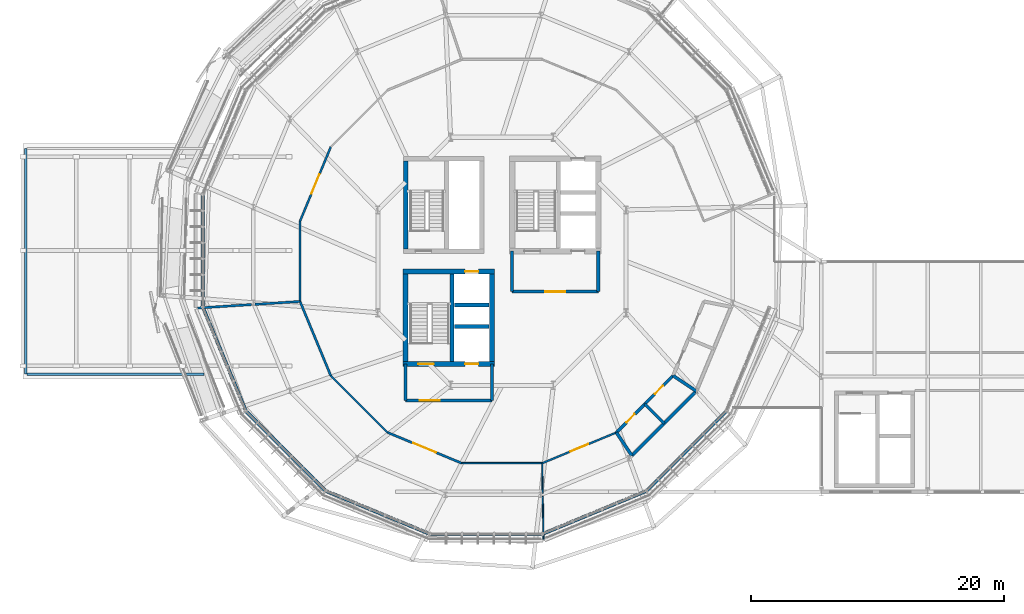
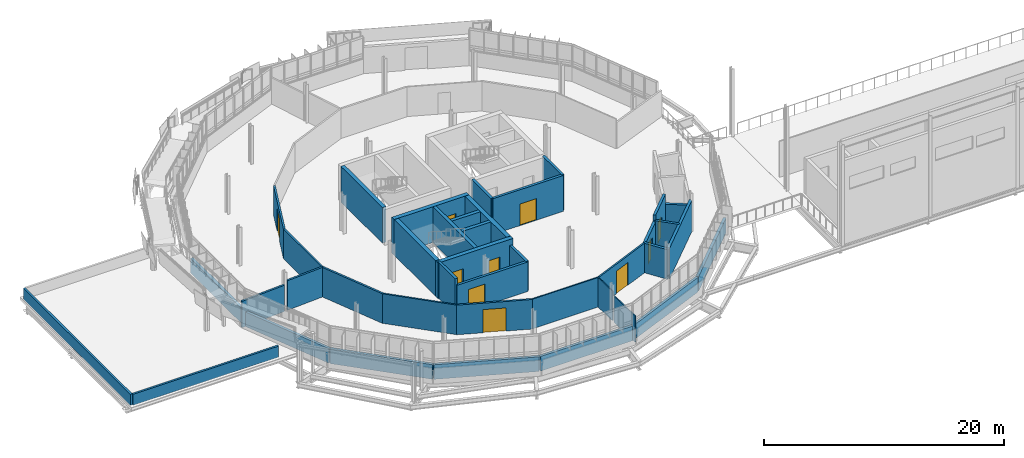
# One storey, part 48 of 61: 40 walls, 10 doors, 10 openings.
"""IFC4 building model written with IfcOpenShell, lengths in metres."""

from ifc_helpers import new_model, si_unit, derived_unit, direction, frame, frame_2d, origin, place, context, subcontext, project, spatial, rectangle, extrude, material, layer, layer_set, type_object, element, fill, save


model = new_model("IFC4")

# Units and contexts
model_context = context("Model", 3, precision=1e-05, world=origin(), true_north=direction((0.0, 1.0)))
body_context = subcontext(model_context, "Body", "Model", "MODEL_VIEW")
ifc_project = project(units=[si_unit("LENGTHUNIT", "METRE"), si_unit("AREAUNIT", "SQUARE_METRE"), si_unit("VOLUMEUNIT", "CUBIC_METRE"), si_unit("PLANEANGLEUNIT", "RADIAN"), si_unit("MASSUNIT", "GRAM", prefix="KILO"), derived_unit("THERMALTRANSMITTANCEUNIT", [(si_unit("MASSUNIT", "GRAM", prefix="KILO"), 1), (si_unit("TIMEUNIT", "SECOND"), -3), (si_unit("THERMODYNAMICTEMPERATUREUNIT", "KELVIN"), -1)])], contexts=[model_context])

# Site, building, storey
site_placement = place(None, origin())
site = spatial("IfcSite", under=ifc_project, at=site_placement, CompositionType="ELEMENT")
building_placement = place(site_placement, origin())
building = spatial("IfcBuilding", under=site, at=building_placement, Name="Makaiwela Harbour Ferry Terminal", CompositionType="ELEMENT")
storey_placement = place(building_placement, frame((0.0, 0.0, 13.800048828125)))
storey = spatial("IfcBuildingStorey", under=building, at=storey_placement, Name="L03", CompositionType="ELEMENT", Elevation=13.800048828125)

# Walls
ifc_material_1 = material(Name="Precast concrete f'c 40 MPa (6000 psi)", Category="concrete")
ifc_layer_1 = layer(ifc_material_1, 0.260009765625)
ifc_layer_set_1 = layer_set([ifc_layer_1], Name="Precast concrete f'c 40 MPa (6000 psi)")
wall_type_1 = type_object("IfcWallType", Name="ENV-WL-EXT260", PredefinedType="SOLIDWALL", material=ifc_layer_set_1)
wall_1_placement = place(storey_placement, frame((14.18798828125, 72.858154296875, 0.0), z_axis=(0.0, 0.0, 1.0), x_axis=(0.0, -1.0, 0.0)))
element("IfcWall", 1, at=wall_1_placement, inside=storey, type_object=wall_type_1, Name="Drum Spandrel Backup Wall EW-L03-07", PredefinedType="SOLIDWALL", context=body_context, shape_type="SweptSolid", body=[
    extrude(rectangle(XDim=8.836181640625, YDim=0.260009765625, at=frame_2d((4.41796875, 0.0))), origin(), (0.0, 0.0, 1.0), 1.47998046875),
])
wall_2_placement = place(storey_placement, frame((14.19970703125, 63.964111328125, 0.0), z_axis=(0.0, 0.0, 1.0), x_axis=(0.382682043614, -0.923880107749, 0.0)))
element("IfcWall", 2, at=wall_2_placement, inside=storey, type_object=wall_type_1, Name="Drum Spandrel Backup Wall EW-L03-08", PredefinedType="SOLIDWALL", context=body_context, shape_type="SweptSolid", body=[
    extrude(rectangle(XDim=8.8359375, YDim=0.260009765625, at=frame_2d((4.41796875, 0.0))), origin(), (0.0, 0.0, 1.0), 1.47998046875),
])
for number, where, z_axis, x_axis, name in (
    (3, (17.61376953125, 55.751708984375, 0.0), (0.0, 0.0, 1.0), (0.707106781187, -0.707106781187, 0.0), "Drum Spandrel Backup Wall EW-L03-09"),
    (4, (23.91064453125, 49.470947265625, 0.0), (0.0, 0.0, 1.0), (0.923884153954, -0.382672275024, 0.0), "Drum Spandrel Backup Wall EW-L03-10"),
    (5, (32.1318359375, 46.078125, 0.0), (0.0, 0.0, 1.0), (1.0, 0.0, 0.0), "Drum Spandrel Backup Wall EW-L03-11"),
):
    element("IfcWall", number, at=place(storey_placement, frame(where, z_axis=z_axis, x_axis=x_axis)), inside=storey, type_object=wall_type_1, Name=name, PredefinedType="SOLIDWALL", context=body_context, shape_type="SweptSolid", body=[
        extrude(rectangle(XDim=8.836181640625, YDim=0.260009765625, at=frame_2d((4.41796875, 0.0))), origin(), (0.0, 0.0, 1.0), 1.47998046875),
    ])
wall_3_placement = place(storey_placement, frame((41.02587890625, 46.089599609375, 0.0), z_axis=(0.0, 0.0, 1.0), x_axis=(0.923880107749, 0.382682043614, 0.0)))
element("IfcWall", 6, at=wall_3_placement, inside=storey, type_object=wall_type_1, Name="Drum Spandrel Backup Wall EW-L03-12", PredefinedType="SOLIDWALL", context=body_context, shape_type="SweptSolid", body=[
    extrude(rectangle(XDim=8.8359375, YDim=0.260009765625, at=frame_2d((4.41796875, 0.0))), origin(), (0.0, 0.0, 1.0), 1.47998046875),
])
wall_4_placement = place(storey_placement, frame((49.23828125, 49.503662109375, 0.0), z_axis=(0.0, 0.0, 1.0), x_axis=(0.707106781187, 0.707106781187, 0.0)))
element("IfcWall", 7, at=wall_4_placement, inside=storey, type_object=wall_type_1, Name="Drum Spandrel Backup Wall EW-L03-13", PredefinedType="SOLIDWALL", context=body_context, shape_type="SweptSolid", body=[
    extrude(rectangle(XDim=8.836181640625, YDim=0.260009765625, at=frame_2d((4.41796875, 0.0))), origin(), (0.0, 0.0, 1.0), 1.47998046875),
])
ifc_layer_2 = layer(ifc_material_1, 0.18994140625)
ifc_layer_set_2 = layer_set([ifc_layer_2], Name="Precast concrete f'c 40 MPa (6000 psi)")
wall_type_2 = type_object("IfcWallType", Name="ENV-WL-PAR190", PredefinedType="PARAPET", material=ifc_layer_set_2)
wall_5_placement = place(storey_placement, frame((14.294921875, 58.699951171875, 0.0), z_axis=(0.0, 0.0, 1.0), x_axis=(-1.0, 0.0, 0.0)))
element("IfcWall", 8, at=wall_5_placement, inside=storey, type_object=wall_type_2, Name="Roof Parapet Wall PW-019", PredefinedType="PARAPET", context=body_context, shape_type="SweptSolid", body=[
    extrude(rectangle(XDim=13.989990234375, YDim=0.18994140625, at=frame_2d((6.9951171875, 0.0))), origin(), (0.0, 0.0, 1.0), 1.119873046875),
])
wall_6_placement = place(storey_placement, frame((0.199951171875, 58.699951171875, 0.0), z_axis=(0.0, 0.0, 1.0), x_axis=(0.0, 1.0, 0.0)))
element("IfcWall", 9, at=wall_6_placement, inside=storey, type_object=wall_type_2, Name="Roof Parapet Wall PW-020", PredefinedType="PARAPET", context=body_context, shape_type="SweptSolid", body=[
    extrude(rectangle(XDim=17.800048828125, YDim=0.18994140625, at=frame_2d((8.89990234375, 0.0))), origin(), (0.0, 0.0, 1.0), 1.119873046875),
])

# Wall, opening, door
ifc_material_2 = material(Name="Fire-rated gypsum board on steel studs", Category="steel")
ifc_layer_3 = layer(ifc_material_2, 0.1650390625)
ifc_layer_set_3 = layer_set([ifc_layer_3], Name="Fire-rated gypsum board on steel studs")
wall_type_3 = type_object("IfcWallType", Name="INT-WL-FIR165", PredefinedType="PARTITIONING", material=ifc_layer_set_3)
wall_7_placement = place(storey_placement, frame((24.28857421875, 76.6279296875, 0.0), z_axis=(0.0, 0.0, 1.0), x_axis=(-0.382676004295, -0.923882609284, 0.0)))
wall_7 = element("IfcWall", 10, at=wall_7_placement, inside=storey, type_object=wall_type_3, Name="Interior Wall IW-0333", PredefinedType="PARTITIONING", context=body_context, shape_type="SweptSolid", body=[
    extrude(rectangle(XDim=6.34033203125, YDim=0.1650390625, at=frame_2d((3.170166015625, 0.0))), origin(), (0.0, 0.0, 1.0), 3.00390625),
])
opening_1_placement = place(wall_7_placement, frame((2.34521484375, 0.0, 0.0)))
opening_1 = element("IfcOpeningElement", 11, at=opening_1_placement, cuts=wall_7, Name="Opening D-17", PredefinedType="OPENING", context=body_context, shape_type="SweptSolid", body=[
    extrude(rectangle(XDim=1.64990234375, YDim=2.300048828125, at=frame_2d((0.824951171875, 1.14990234375))), frame((0.0, 0.092529296875, 0.0), z_axis=(0.0, -1.0, 0.0), x_axis=(1.0, 0.0, 0.0)), (0.0, 0.0, 1.0), 0.18505859375),
])
ifc_material_3 = material(Name="Solid-core marine hardwood and painted steel frame", Category="steel")
door_type_1 = type_object("IfcDoorType", Name="INT-DR-DIN165", OperationType="NOTDEFINED", PredefinedType="DOOR", material=ifc_material_3)
door_1_placement = place(opening_1_placement, frame((1.64990234375, 0.0, 0.0), z_axis=(0.0, 0.0, 1.0), x_axis=(-1.0, 0.0, 0.0)))
door_1 = element("IfcDoor", 12, at=door_1_placement, inside=storey, type_object=door_type_1, Name="Door D-17", OperationType="DOUBLE_DOOR_SINGLE_SWING", OverallHeight=2.300048828125, OverallWidth=1.64990234375, PredefinedType="DOOR", context=body_context, shape_type="SweptSolid", body=[
    extrude(rectangle(XDim=1.64990234375, YDim=2.300048828125, at=frame_2d((0.824951171875, 1.14990234375))), frame((0.0, 0.02490234375, 0.0), z_axis=(0.0, -1.0, 0.0), x_axis=(1.0, 0.0, 0.0)), (0.0, 0.0, 1.0), 0.050048828125),
])
fill(opening_1, door_1)

# Walls
wall_8_placement = place(storey_placement, frame((21.8623046875, 70.770263671875, 0.0), z_axis=(0.0, 0.0, 1.0), x_axis=(0.0, -1.0, 0.0)))
element("IfcWall", 13, at=wall_8_placement, inside=storey, type_object=wall_type_3, Name="Interior Wall IW-0334", PredefinedType="PARTITIONING", context=body_context, shape_type="SweptSolid", body=[
    extrude(rectangle(XDim=6.340576171875, YDim=0.1650390625, at=frame_2d((3.17041015625, 0.0))), origin(), (0.0, 0.0, 1.0), 3.00390625),
])
ifc_layer_4 = layer(ifc_material_2, 0.179931640625)
ifc_layer_set_4 = layer_set([ifc_layer_4], Name="Fire-rated gypsum board on steel studs")
wall_type_4 = type_object("IfcWallType", Name="INT-WL-FIR180", PredefinedType="PARTITIONING", material=ifc_layer_set_4)
wall_9_placement = place(storey_placement, frame((21.8623046875, 64.4296875, 0.0), z_axis=(0.0, 0.0, 1.0), x_axis=(0.382676004295, -0.923882609284, 0.0)))
element("IfcWall", 14, at=wall_9_placement, inside=storey, type_object=wall_type_4, Name="Interior Wall IW-0335", PredefinedType="PARTITIONING", context=body_context, shape_type="SweptSolid", body=[
    extrude(rectangle(XDim=6.34033203125, YDim=0.179931640625, at=frame_2d((3.170166015625, 0.0))), origin(), (0.0, 0.0, 1.0), 3.00390625),
])

# Wall, opening, door
wall_10_placement = place(storey_placement, frame((28.77197265625, 54.088623046875, 0.0), z_axis=(0.0, 0.0, 1.0), x_axis=(0.92387463456, -0.382695256851, 0.0)))
wall_10 = element("IfcWall", 15, at=wall_10_placement, inside=storey, type_object=wall_type_4, Name="Interior Wall IW-0337", PredefinedType="PARTITIONING", context=body_context, shape_type="SweptSolid", body=[
    extrude(rectangle(XDim=6.340576171875, YDim=0.179931640625, at=frame_2d((3.17041015625, 0.0))), origin(), (0.0, 0.0, 1.0), 3.00390625),
])
opening_2_placement = place(wall_10_placement, frame((2.1953125, 0.0, 0.0)))
opening_2 = element("IfcOpeningElement", 16, at=opening_2_placement, cuts=wall_10, Name="Opening D-19", PredefinedType="OPENING", context=body_context, shape_type="SweptSolid", body=[
    extrude(rectangle(XDim=1.949951171875, YDim=2.35009765625, at=frame_2d((0.97509765625, 1.175048828125))), frame((0.0, 0.099853515625, 0.0), z_axis=(0.0, -1.0, 0.0), x_axis=(1.0, 0.0, 0.0)), (0.0, 0.0, 1.0), 0.199951171875),
])
door_type_2 = type_object("IfcDoorType", Name="INT-DR-RET195", OperationType="NOTDEFINED", PredefinedType="DOOR", material=ifc_material_3)
door_2_placement = place(opening_2_placement, frame((1.949951171875, 0.0, 0.0), z_axis=(0.0, 0.0, 1.0), x_axis=(-1.0, 0.0, 0.0)))
door_2 = element("IfcDoor", 17, at=door_2_placement, inside=storey, type_object=door_type_2, Name="Door D-19", OperationType="DOUBLE_DOOR_SINGLE_SWING", OverallHeight=2.35009765625, OverallWidth=1.949951171875, PredefinedType="DOOR", context=body_context, shape_type="SweptSolid", body=[
    extrude(rectangle(XDim=1.949951171875, YDim=2.35009765625, at=frame_2d((0.97509765625, 1.175048828125))), frame((0.0, 0.02490234375, 0.0), z_axis=(0.0, -1.0, 0.0), x_axis=(1.0, 0.0, 0.0)), (0.0, 0.0, 1.0), 0.050048828125),
])
fill(opening_2, door_2)

# Walls
wall_11_placement = place(storey_placement, frame((21.8623046875, 64.4296875, 0.0), z_axis=(0.0, 0.0, 1.0), x_axis=(-0.997952022383, -0.06396687441, 0.0)))
element("IfcWall", 18, at=wall_11_placement, inside=storey, type_object=wall_type_4, Name="Interior Wall IW-0354", PredefinedType="PARTITIONING", context=body_context, shape_type="SweptSolid", body=[
    extrude(rectangle(XDim=3.549560546875, YDim=0.179931640625, at=frame_2d((1.77490234375, 0.0))), origin(), (0.0, 0.0, 1.0), 3.00390625),
])
wall_12_placement = place(storey_placement, frame((18.039794921875, 64.184814453125, 0.0), z_axis=(0.0, 0.0, 1.0), x_axis=(-0.997951459643, -0.063975653146, 0.0)))
element("IfcWall", 19, at=wall_12_placement, inside=storey, type_object=wall_type_4, Name="Interior Wall IW-0355", PredefinedType="PARTITIONING", context=body_context, shape_type="SweptSolid", body=[
    extrude(rectangle(XDim=4.2626953125, YDim=0.179931640625, at=frame_2d((2.13134765625, 0.0))), origin(), (0.0, 0.0, 1.0), 2.669921875),
])

# Wall, opening, door
ifc_layer_5 = layer(ifc_material_2, 0.239990234375)
ifc_layer_set_5 = layer_set([ifc_layer_5], Name="Fire-rated gypsum board on steel studs")
wall_type_5 = type_object("IfcWallType", Name="INT-WL-FIR240", PredefinedType="SOLIDWALL", material=ifc_layer_set_5)
wall_13_placement = place(storey_placement, frame((38.60009765625, 65.199951171875, 0.0), z_axis=(0.0, 0.0, 1.0), x_axis=(1.0, 0.0, 0.0)))
wall_13 = element("IfcWall", 20, at=wall_13_placement, inside=storey, type_object=wall_type_5, Name="Interior Wall IW-0031", PredefinedType="SOLIDWALL", context=body_context, shape_type="SweptSolid", body=[
    extrude(rectangle(XDim=6.7998046875, YDim=0.239990234375, at=frame_2d((3.39990234375, 0.0))), origin(), (0.0, 0.0, 1.0), 3.639892578125),
])
opening_3_placement = place(wall_13_placement, frame((2.60009765625, 0.0, 0.0)))
opening_3 = element("IfcOpeningElement", 21, at=opening_3_placement, cuts=wall_13, Name="Opening D-03", PredefinedType="OPENING", context=body_context, shape_type="SweptSolid", body=[
    extrude(rectangle(XDim=1.60009765625, YDim=2.199951171875, at=frame_2d((0.800048828125, 1.10009765625))), frame((0.0, 0.1298828125, 0.0), z_axis=(0.0, -1.0, 0.0), x_axis=(1.0, 0.0, 0.0)), (0.0, 0.0, 1.0), 0.260009765625),
])
ifc_material_4 = material(Name="Insulated galvanised fire-rated steel leaf and frame", Category="steel")
door_type_3 = type_object("IfcDoorType", Name="INT-DR-FFL160", OperationType="NOTDEFINED", PredefinedType="DOOR", material=ifc_material_4)
door_3_placement = place(opening_3_placement, frame((1.60009765625, 0.0, 0.0), z_axis=(0.0, 0.0, 1.0), x_axis=(-1.0, 0.0, 0.0)))
door_3 = element("IfcDoor", 22, at=door_3_placement, inside=storey, type_object=door_type_3, Name="Door D-03", OperationType="DOUBLE_DOOR_SINGLE_SWING", OverallHeight=2.199951171875, OverallWidth=1.60009765625, PredefinedType="DOOR", context=body_context, shape_type="SweptSolid", body=[
    extrude(rectangle(XDim=1.60009765625, YDim=2.199951171875, at=frame_2d((0.800048828125, 1.10009765625))), frame((0.0, 0.02490234375, 0.0), z_axis=(0.0, -1.0, 0.0), x_axis=(1.0, 0.0, 0.0)), (0.0, 0.0, 1.0), 0.050048828125),
])
fill(opening_3, door_3)

# Walls
for number, where, z_axis, x_axis, name in (
    (23, (38.60009765625, 68.39990234375, 0.0), (0.0, 0.0, 1.0), (0.0, -1.0, 0.0), "Interior Wall IW-0032"),
    (24, (45.39990234375, 65.199951171875, 0.0), (0.0, 0.0, 1.0), (0.0, 1.0, 0.0), "Interior Wall IW-0033"),
):
    element("IfcWall", number, at=place(storey_placement, frame(where, z_axis=z_axis, x_axis=x_axis)), inside=storey, type_object=wall_type_5, Name=name, PredefinedType="SOLIDWALL", context=body_context, shape_type="SweptSolid", body=[
        extrude(rectangle(XDim=3.199951171875, YDim=0.239990234375, at=frame_2d((1.60009765625, 0.0))), origin(), (0.0, 0.0, 1.0), 3.639892578125),
    ])

# Wall, opening, door
wall_14_placement = place(storey_placement, frame((30.199951171875, 56.60009765625, 0.0), z_axis=(0.0, 0.0, 1.0), x_axis=(1.0, 0.0, 0.0)))
wall_14 = element("IfcWall", 25, at=wall_14_placement, inside=storey, type_object=wall_type_5, Name="Interior Wall IW-0095", PredefinedType="SOLIDWALL", context=body_context, shape_type="SweptSolid", body=[
    extrude(rectangle(XDim=6.800048828125, YDim=0.239990234375, at=frame_2d((3.39990234375, 0.0))), origin(), (0.0, 0.0, 1.0), 3.00390625),
])
opening_4_placement = place(wall_14_placement, frame((1.10400390625, 0.0, 0.0)))
opening_4 = element("IfcOpeningElement", 26, at=opening_4_placement, cuts=wall_14, Name="Opening D-03", PredefinedType="OPENING", context=body_context, shape_type="SweptSolid", body=[
    extrude(rectangle(XDim=1.60009765625, YDim=2.199951171875, at=frame_2d((0.800048828125, 1.10009765625))), frame((0.0, 0.1298828125, 0.0), z_axis=(0.0, -1.0, 0.0), x_axis=(1.0, 0.0, 0.0)), (0.0, 0.0, 1.0), 0.260009765625),
])
door_4_placement = place(opening_4_placement, frame((1.60009765625, 0.0, 0.0), z_axis=(0.0, 0.0, 1.0), x_axis=(-1.0, 0.0, 0.0)))
door_4 = element("IfcDoor", 27, at=door_4_placement, inside=storey, type_object=door_type_3, Name="Door D-03", OperationType="DOUBLE_DOOR_SINGLE_SWING", OverallHeight=2.199951171875, OverallWidth=1.60009765625, PredefinedType="DOOR", context=body_context, shape_type="SweptSolid", body=[
    extrude(rectangle(XDim=1.60009765625, YDim=2.199951171875, at=frame_2d((0.800048828125, 1.10009765625))), frame((0.0, 0.02490234375, 0.0), z_axis=(0.0, -1.0, 0.0), x_axis=(1.0, 0.0, 0.0)), (0.0, 0.0, 1.0), 0.050048828125),
])
fill(opening_4, door_4)

# Walls
wall_15_placement = place(storey_placement, frame((30.199951171875, 59.5, 0.0), z_axis=(0.0, 0.0, 1.0), x_axis=(0.0, -1.0, 0.0)))
element("IfcWall", 28, at=wall_15_placement, inside=storey, type_object=wall_type_5, Name="Interior Wall IW-0096", PredefinedType="SOLIDWALL", context=body_context, shape_type="SweptSolid", body=[
    extrude(rectangle(XDim=2.89990234375, YDim=0.239990234375, at=frame_2d((1.449951171875, 0.0))), origin(), (0.0, 0.0, 1.0), 3.639892578125),
])
wall_16_placement = place(storey_placement, frame((37.0, 56.60009765625, 0.0), z_axis=(0.0, 0.0, 1.0), x_axis=(0.0, 1.0, 0.0)))
element("IfcWall", 29, at=wall_16_placement, inside=storey, type_object=wall_type_5, Name="Interior Wall IW-0097", PredefinedType="SOLIDWALL", context=body_context, shape_type="SweptSolid", body=[
    extrude(rectangle(XDim=2.89990234375, YDim=0.239990234375, at=frame_2d((1.449951171875, 0.0))), origin(), (0.0, 0.0, 1.0), 3.00390625),
])

# Wall, opening, door
ifc_material_5 = material(Name="Moisture-resistant acoustic gypsum partition", Category="gypsum")
ifc_layer_6 = layer(ifc_material_5, 0.22998046875)
ifc_layer_set_6 = layer_set([ifc_layer_6], Name="Moisture-resistant acoustic gypsum partition")
wall_type_6 = type_object("IfcWallType", Name="INT-WL-PLM230", PredefinedType="PLUMBINGWALL", material=ifc_layer_set_6)
wall_17_placement = place(storey_placement, frame((49.069580078125, 56.330322265625, 0.0), z_axis=(0.0, 0.0, 1.0), x_axis=(0.707106781187, 0.707106781187, 0.0)))
wall_17 = element("IfcWall", 30, at=wall_17_placement, inside=storey, type_object=wall_type_6, Name="Interior Wall IW-0341", PredefinedType="PLUMBINGWALL", context=body_context, shape_type="SweptSolid", body=[
    extrude(rectangle(XDim=3.170166015625, YDim=0.22998046875, at=frame_2d((1.5849609375, 0.0))), origin(), (0.0, 0.0, 1.0), 3.639892578125),
])
opening_5_placement = place(wall_17_placement, frame((1.125, 0.0, 0.0)))
opening_5 = element("IfcOpeningElement", 31, at=opening_5_placement, cuts=wall_17, Name="Opening D-11", PredefinedType="OPENING", context=body_context, shape_type="SweptSolid", body=[
    extrude(rectangle(XDim=0.919921875, YDim=2.10009765625, at=frame_2d((0.4599609375, 1.050048828125))), frame((0.0, 0.125, 0.0), z_axis=(0.0, -1.0, 0.0), x_axis=(1.0, 0.0, 0.0)), (0.0, 0.0, 1.0), 0.25),
])
door_type_4 = type_object("IfcDoorType", Name="INT-DR-WC092", OperationType="NOTDEFINED", PredefinedType="DOOR", material=ifc_material_3)
door_5_placement = place(opening_5_placement, frame((0.919921875, 0.0, 0.0), z_axis=(0.0, 0.0, 1.0), x_axis=(-1.0, 0.0, 0.0)))
door_5 = element("IfcDoor", 32, at=door_5_placement, inside=storey, type_object=door_type_4, Name="Door D-11", OperationType="SINGLE_SWING_RIGHT", OverallHeight=2.10009765625, OverallWidth=0.919921875, PredefinedType="DOOR", context=body_context, shape_type="SweptSolid", body=[
    extrude(rectangle(XDim=0.919921875, YDim=2.10009765625, at=frame_2d((0.4599609375, 1.050048828125))), frame((0.0, 0.02490234375, 0.0), z_axis=(0.0, -1.0, 0.0), x_axis=(1.0, 0.0, 0.0)), (0.0, 0.0, 1.0), 0.050048828125),
])
fill(opening_5, door_5)

# Wall
wall_18_placement = place(storey_placement, frame((49.069580078125, 56.330322265625, 0.0), z_axis=(0.0, 0.0, 1.0), x_axis=(0.707106781187, -0.707106781187, 0.0)))
element("IfcWall", 33, at=wall_18_placement, inside=storey, type_object=wall_type_6, Name="Interior Wall IW-0343", PredefinedType="PLUMBINGWALL", context=body_context, shape_type="SweptSolid", body=[
    extrude(rectangle(XDim=2.157958984375, YDim=0.22998046875, at=frame_2d((1.0791015625, 0.0))), origin(), (0.0, 0.0, 1.0), 3.14404296875),
])

# Wall, opening, door
ifc_layer_7 = layer(ifc_material_5, 0.25)
ifc_layer_set_7 = layer_set([ifc_layer_7], Name="Moisture-resistant acoustic gypsum partition")
wall_type_7 = type_object("IfcWallType", Name="INT-WL-PLM250", PredefinedType="PLUMBINGWALL", material=ifc_layer_set_7)
wall_19_placement = place(storey_placement, frame((46.827880859375, 54.088623046875, 0.0), z_axis=(0.0, 0.0, 1.0), x_axis=(0.707106781187, 0.707106781187, 0.0)))
wall_19 = element("IfcWall", 34, at=wall_19_placement, inside=storey, type_object=wall_type_7, Name="Interior Wall IW-0340", PredefinedType="PLUMBINGWALL", context=body_context, shape_type="SweptSolid", body=[
    extrude(rectangle(XDim=3.170166015625, YDim=0.25, at=frame_2d((1.5849609375, 0.0))), origin(), (0.0, 0.0, 1.0), 3.00390625),
])
opening_6_placement = place(wall_19_placement, frame((1.125, 0.0, 0.0)))
opening_6 = element("IfcOpeningElement", 35, at=opening_6_placement, cuts=wall_19, Name="Opening D-11", PredefinedType="OPENING", context=body_context, shape_type="SweptSolid", body=[
    extrude(rectangle(XDim=0.919921875, YDim=2.10009765625, at=frame_2d((0.4599609375, 1.050048828125))), frame((0.0, 0.135009765625, 0.0), z_axis=(0.0, -1.0, 0.0), x_axis=(1.0, 0.0, 0.0)), (0.0, 0.0, 1.0), 0.27001953125),
])
door_6_placement = place(opening_6_placement, frame((0.919921875, 0.0, 0.0), z_axis=(0.0, 0.0, 1.0), x_axis=(-1.0, 0.0, 0.0)))
door_6 = element("IfcDoor", 36, at=door_6_placement, inside=storey, type_object=door_type_4, Name="Door D-11", OperationType="SINGLE_SWING_LEFT", OverallHeight=2.10009765625, OverallWidth=0.919921875, PredefinedType="DOOR", context=body_context, shape_type="SweptSolid", body=[
    extrude(rectangle(XDim=0.919921875, YDim=2.10009765625, at=frame_2d((0.4599609375, 1.050048828125))), frame((0.0, 0.02490234375, 0.0), z_axis=(0.0, -1.0, 0.0), x_axis=(1.0, 0.0, 0.0)), (0.0, 0.0, 1.0), 0.050048828125),
])
fill(opening_6, door_6)

# Walls
wall_20_placement = place(storey_placement, frame((48.05029296875, 52.259521484375, 0.0), z_axis=(0.0, 0.0, 1.0), x_axis=(0.707123738387, 0.707089823579, 0.0)))
element("IfcWall", 37, at=wall_20_placement, inside=storey, type_object=wall_type_7, Name="Interior Wall IW-0342", PredefinedType="PLUMBINGWALL", context=body_context, shape_type="SweptSolid", body=[
    extrude(rectangle(XDim=7.19873046875, YDim=0.25, at=frame_2d((3.599365234375, 0.0))), origin(), (0.0, 0.0, 1.0), 3.14404296875),
])
wall_21_placement = place(storey_placement, frame((46.827880859375, 54.088623046875, 0.0), z_axis=(0.0, 0.0, 1.0), x_axis=(0.555647384729, -0.831418056, 0.0)))
element("IfcWall", 38, at=wall_21_placement, inside=storey, type_object=wall_type_7, Name="Interior Wall IW-0344", PredefinedType="PLUMBINGWALL", context=body_context, shape_type="SweptSolid", body=[
    extrude(rectangle(XDim=2.199951171875, YDim=0.25, at=frame_2d((1.10009765625, 0.0))), origin(), (0.0, 0.0, 1.0), 3.00390625),
])
wall_22_placement = place(storey_placement, frame((51.311279296875, 58.572021484375, 0.0), z_axis=(0.0, 0.0, 1.0), x_axis=(0.831452313852, -0.555596121107, 0.0)))
element("IfcWall", 39, at=wall_22_placement, inside=storey, type_object=wall_type_7, Name="Interior Wall IW-0349", PredefinedType="PLUMBINGWALL", context=body_context, shape_type="SweptSolid", body=[
    extrude(rectangle(XDim=2.2001953125, YDim=0.25, at=frame_2d((1.10009765625, 0.0))), origin(), (0.0, 0.0, 1.0), 2.669921875),
])
ifc_layer_8 = layer(ifc_material_5, 0.10009765625)
ifc_layer_set_8 = layer_set([ifc_layer_8], Name="Moisture-resistant acoustic gypsum partition")
wall_type_8 = type_object("IfcWallType", Name="INT-WL-PRT100", PredefinedType="PARTITIONING", material=ifc_layer_set_8)
wall_23_placement = place(storey_placement, frame((40.97021484375, 51.662109375, 0.0), z_axis=(0.0, 0.0, 1.0), x_axis=(0.018016959048, -0.99983768142, 0.0)))
element("IfcWall", 40, at=wall_23_placement, inside=storey, type_object=wall_type_8, Name="Interior Wall IW-0356", PredefinedType="PARTITIONING", context=body_context, shape_type="SweptSolid", body=[
    extrude(rectangle(XDim=2.35791015625, YDim=0.10009765625, at=frame_2d((1.178955078125, 0.0))), origin(), (0.0, 0.0, 1.0), 3.00390625),
])
wall_24_placement = place(storey_placement, frame((41.017333984375, 49.0419921875, 0.0), z_axis=(0.0, 0.0, 1.0), x_axis=(0.017985050226, -0.999838255904, 0.0)))
element("IfcWall", 41, at=wall_24_placement, inside=storey, type_object=wall_type_8, Name="Interior Wall IW-0357", PredefinedType="PARTITIONING", context=body_context, shape_type="SweptSolid", body=[
    extrude(rectangle(XDim=3.366455078125, YDim=0.10009765625, at=frame_2d((1.68310546875, 0.0))), origin(), (0.0, 0.0, 1.0), 2.669921875),
])
ifc_layer_9 = layer(ifc_material_5, 0.1201171875)
ifc_layer_set_9 = layer_set([ifc_layer_9], Name="Moisture-resistant acoustic gypsum partition")
wall_type_9 = type_object("IfcWallType", Name="INT-WL-PRT120", PredefinedType="PARTITIONING", material=ifc_layer_set_9)
wall_25_placement = place(storey_placement, frame((34.6298828125, 51.662109375, 0.0), z_axis=(0.0, 0.0, 1.0), x_axis=(1.0, 0.0, 0.0)))
element("IfcWall", 42, at=wall_25_placement, inside=storey, type_object=wall_type_9, Name="Interior Wall IW-0338", PredefinedType="PARTITIONING", context=body_context, shape_type="SweptSolid", body=[
    extrude(rectangle(XDim=6.34033203125, YDim=0.1201171875, at=frame_2d((3.170166015625, 0.0))), origin(), (0.0, 0.0, 1.0), 3.00390625),
])
ifc_layer_10 = layer(ifc_material_5, 0.14990234375)
ifc_layer_set_10 = layer_set([ifc_layer_10], Name="Moisture-resistant acoustic gypsum partition")
wall_type_10 = type_object("IfcWallType", Name="INT-WL-PRT150", PredefinedType="PARTITIONING", material=ifc_layer_set_10)
wall_26_placement = place(storey_placement, frame((24.28857421875, 58.572021484375, 0.0), z_axis=(0.0, 0.0, 1.0), x_axis=(0.707106781187, -0.707106781187, 0.0)))
element("IfcWall", 43, at=wall_26_placement, inside=storey, type_object=wall_type_10, Name="Interior Wall IW-0336", PredefinedType="PARTITIONING", context=body_context, shape_type="SweptSolid", body=[
    extrude(rectangle(XDim=6.340576171875, YDim=0.14990234375, at=frame_2d((3.17041015625, 0.0))), origin(), (0.0, 0.0, 1.0), 3.00390625),
])

# Wall, opening, door
wall_27_placement = place(storey_placement, frame((40.97021484375, 51.662109375, 0.0), z_axis=(0.0, 0.0, 1.0), x_axis=(0.923868995071, 0.382708871005, 0.0)))
wall_27 = element("IfcWall", 44, at=wall_27_placement, inside=storey, type_object=wall_type_10, Name="Interior Wall IW-0339", PredefinedType="PARTITIONING", context=body_context, shape_type="SweptSolid", body=[
    extrude(rectangle(XDim=6.34033203125, YDim=0.14990234375, at=frame_2d((3.170166015625, 0.0))), origin(), (0.0, 0.0, 1.0), 3.00390625),
])
opening_7_placement = place(wall_27_placement, frame((2.395263671875, 0.0, 0.0)))
opening_7 = element("IfcOpeningElement", 45, at=opening_7_placement, cuts=wall_27, Name="Opening D-21", PredefinedType="OPENING", context=body_context, shape_type="SweptSolid", body=[
    extrude(rectangle(XDim=1.550048828125, YDim=2.300048828125, at=frame_2d((0.77490234375, 1.14990234375))), frame((0.0, 0.0849609375, 0.0), z_axis=(0.0, -1.0, 0.0), x_axis=(1.0, 0.0, 0.0)), (0.0, 0.0, 1.0), 0.169921875),
])
door_type_5 = type_object("IfcDoorType", Name="INT-DR-VIP155", OperationType="NOTDEFINED", PredefinedType="DOOR", material=ifc_material_3)
door_7_placement = place(opening_7_placement, frame((1.550048828125, 0.0, 0.0), z_axis=(0.0, 0.0, 1.0), x_axis=(-1.0, 0.0, 0.0)))
door_7 = element("IfcDoor", 46, at=door_7_placement, inside=storey, type_object=door_type_5, Name="Door D-21", OperationType="DOUBLE_DOOR_SINGLE_SWING", OverallHeight=2.300048828125, OverallWidth=1.550048828125, PredefinedType="DOOR", context=body_context, shape_type="SweptSolid", body=[
    extrude(rectangle(XDim=1.550048828125, YDim=2.300048828125, at=frame_2d((0.77490234375, 1.14990234375))), frame((0.0, 0.02490234375, 0.0), z_axis=(0.0, -1.0, 0.0), x_axis=(1.0, 0.0, 0.0)), (0.0, 0.0, 1.0), 0.050048828125),
])
fill(opening_7, door_7)

# Walls
ifc_material_6 = material(Name="Concrete f'c 45 MPa (6500 psi)", Category="concrete")
ifc_layer_11 = layer(ifc_material_6, 0.320068359375)
ifc_layer_set_11 = layer_set([ifc_layer_11], Name="Concrete f'c 45 MPa (6500 psi)")
wall_type_11 = type_object("IfcWallType", Name="INT-WL-SHR320", PredefinedType="SHEAR", material=ifc_layer_set_11)
wall_28_placement = place(storey_placement, frame((33.8720703125, 59.7099609375, 0.0), z_axis=(0.0, 0.0, 1.0), x_axis=(0.0, 1.0, 0.0)))
element("IfcWall", 47, at=wall_28_placement, inside=storey, type_object=wall_type_11, Name="Interior Wall IW-0102", PredefinedType="SHEAR", context=body_context, shape_type="SweptSolid", body=[
    extrude(rectangle(XDim=6.880126953125, YDim=0.320068359375, at=frame_2d((3.43994140625, 0.0))), origin(), (0.0, 0.0, 1.0), 3.619873046875),
])
for number, where, z_axis, x_axis, name in (
    (48, (34.037109375, 62.43994140625, 0.0), (0.0, 0.0, 1.0), (1.0, 0.0, 0.0), "Interior Wall IW-0103"),
    (49, (34.037109375, 64.159912109375, 0.0), (0.0, 0.0, 1.0), (1.0, 0.0, 0.0), "Interior Wall IW-0104"),
):
    element("IfcWall", number, at=place(storey_placement, frame(where, z_axis=z_axis, x_axis=x_axis)), inside=storey, type_object=wall_type_11, Name=name, PredefinedType="SHEAR", context=body_context, shape_type="SweptSolid", body=[
        extrude(rectangle(XDim=2.7578125, YDim=0.320068359375, at=frame_2d((1.37890625, 0.0))), origin(), (0.0, 0.0, 1.0), 3.619873046875),
    ])
ifc_layer_12 = layer(ifc_material_6, 0.360107421875)
ifc_layer_set_12 = layer_set([ifc_layer_12], Name="Concrete f'c 45 MPa (6500 psi)")
wall_type_12 = type_object("IfcWallType", Name="INT-WL-SHR360", PredefinedType="SHEAR", material=ifc_layer_set_12)
wall_29_placement = place(storey_placement, frame((30.199951171875, 68.590087890625, 0.0), z_axis=(0.0, 0.0, 1.0), x_axis=(0.0, 1.0, 0.0)))
element("IfcWall", 50, at=wall_29_placement, inside=storey, type_object=wall_type_12, Name="Interior Wall IW-0149", PredefinedType="SHEAR", context=body_context, shape_type="SweptSolid", body=[
    extrude(rectangle(XDim=6.919921875, YDim=0.360107421875, at=frame_2d((3.4599609375, 0.0))), origin(), (0.0, 0.0, 1.0), 3.619873046875),
])

# Wall, openings, doors
ifc_layer_13 = layer(ifc_material_6, 0.39990234375)
ifc_layer_set_13 = layer_set([ifc_layer_13], Name="Concrete f'c 45 MPa (6500 psi)")
wall_type_13 = type_object("IfcWallType", Name="INT-WL-SHR400", PredefinedType="SHEAR", material=ifc_layer_set_13)
wall_30_placement = place(storey_placement, frame((30.0, 59.5, 0.0), z_axis=(0.0, 0.0, 1.0), x_axis=(1.0, 0.0, 0.0)))
wall_30 = element("IfcWall", 51, at=wall_30_placement, inside=storey, type_object=wall_type_13, Name="Interior Wall IW-0098", PredefinedType="SHEAR", context=body_context, shape_type="SweptSolid", body=[
    extrude(rectangle(XDim=7.199951171875, YDim=0.39990234375, at=frame_2d((3.60009765625, 0.0))), origin(), (0.0, 0.0, 1.0), 3.619873046875),
])
opening_8_placement = place(wall_30_placement, frame((1.175048828125, 0.0, 0.0)))
opening_8 = element("IfcOpeningElement", 52, at=opening_8_placement, cuts=wall_30, Name="Opening D-02", PredefinedType="OPENING", context=body_context, shape_type="SweptSolid", body=[
    extrude(rectangle(XDim=1.25, YDim=2.199951171875, at=frame_2d((0.625, 1.10009765625))), frame((0.0, 0.2099609375, 0.0), z_axis=(0.0, -1.0, 0.0), x_axis=(1.0, 0.0, 0.0)), (0.0, 0.0, 1.0), 0.419921875),
])
opening_9_placement = place(wall_30_placement, frame((4.890869140625, 0.0, 0.0)))
opening_9 = element("IfcOpeningElement", 53, at=opening_9_placement, cuts=wall_30, Name="Opening LD-01", PredefinedType="OPENING", context=body_context, shape_type="SweptSolid", body=[
    extrude(rectangle(XDim=1.050048828125, YDim=2.14990234375, at=frame_2d((0.52490234375, 1.074951171875))), frame((0.0, 0.2099609375, 0.0), z_axis=(0.0, -1.0, 0.0), x_axis=(1.0, 0.0, 0.0)), (0.0, 0.0, 1.0), 0.419921875),
])
ifc_material_7 = material(Name="Marine grade 316L brushed stainless steel", Category="steel")
door_type_6 = type_object("IfcDoorType", Name="INT-DR-LD105", OperationType="NOTDEFINED", PredefinedType="DOOR", material=ifc_material_7)
door_8_placement = place(opening_9_placement, frame((1.050048828125, 0.0, 0.0), z_axis=(0.0, 0.0, 1.0), x_axis=(-1.0, 0.0, 0.0)))
door_8 = element("IfcDoor", 54, at=door_8_placement, inside=storey, type_object=door_type_6, Name="Door LD-01", OperationType="DOUBLE_DOOR_SLIDING", OverallHeight=2.14990234375, OverallWidth=1.050048828125, PredefinedType="DOOR", context=body_context, shape_type="SweptSolid", body=[
    extrude(rectangle(XDim=1.050048828125, YDim=2.14990234375, at=frame_2d((0.52490234375, 1.074951171875))), frame((0.0, 0.02490234375, 0.0), z_axis=(0.0, -1.0, 0.0), x_axis=(1.0, 0.0, 0.0)), (0.0, 0.0, 1.0), 0.050048828125),
])
fill(opening_9, door_8)
door_type_7 = type_object("IfcDoorType", Name="INT-DR-ST125", OperationType="NOTDEFINED", PredefinedType="DOOR", material=ifc_material_4)
door_9_placement = place(opening_8_placement, frame((1.25, 0.0, 0.0), z_axis=(0.0, 0.0, 1.0), x_axis=(-1.0, 0.0, 0.0)))
door_9 = element("IfcDoor", 55, at=door_9_placement, inside=storey, type_object=door_type_7, Name="Door D-02", OperationType="SINGLE_SWING_RIGHT", OverallHeight=2.199951171875, OverallWidth=1.25, PredefinedType="DOOR", context=body_context, shape_type="SweptSolid", body=[
    extrude(rectangle(XDim=1.25, YDim=2.199951171875, at=frame_2d((0.625, 1.10009765625))), frame((0.0, 0.02490234375, 0.0), z_axis=(0.0, -1.0, 0.0), x_axis=(1.0, 0.0, 0.0)), (0.0, 0.0, 1.0), 0.050048828125),
])
fill(opening_8, door_9)

# Wall, opening, door
wall_31_placement = place(storey_placement, frame((30.0, 66.800048828125, 0.0), z_axis=(0.0, 0.0, 1.0), x_axis=(1.0, 0.0, 0.0)))
wall_31 = element("IfcWall", 56, at=wall_31_placement, inside=storey, type_object=wall_type_13, Name="Interior Wall IW-0099", PredefinedType="SHEAR", context=body_context, shape_type="SweptSolid", body=[
    extrude(rectangle(XDim=7.199951171875, YDim=0.39990234375, at=frame_2d((3.60009765625, 0.0))), origin(), (0.0, 0.0, 1.0), 3.619873046875),
])
opening_10_placement = place(wall_31_placement, frame((4.890869140625, 0.0, 0.0)))
opening_10 = element("IfcOpeningElement", 57, at=opening_10_placement, cuts=wall_31, Name="Opening LD-01", PredefinedType="OPENING", context=body_context, shape_type="SweptSolid", body=[
    extrude(rectangle(XDim=1.050048828125, YDim=2.14990234375, at=frame_2d((0.52490234375, 1.074951171875))), frame((0.0, 0.2099609375, 0.0), z_axis=(0.0, -1.0, 0.0), x_axis=(1.0, 0.0, 0.0)), (0.0, 0.0, 1.0), 0.419921875),
])
door_10_placement = place(opening_10_placement, origin())
door_10 = element("IfcDoor", 58, at=door_10_placement, inside=storey, type_object=door_type_6, Name="Door LD-01", OperationType="DOUBLE_DOOR_SLIDING", OverallHeight=2.14990234375, OverallWidth=1.050048828125, PredefinedType="DOOR", context=body_context, shape_type="SweptSolid", body=[
    extrude(rectangle(XDim=1.050048828125, YDim=2.14990234375, at=frame_2d((0.52490234375, 1.074951171875))), frame((0.0, 0.02490234375, 0.0), z_axis=(0.0, -1.0, 0.0), x_axis=(1.0, 0.0, 0.0)), (0.0, 0.0, 1.0), 0.050048828125),
])
fill(opening_10, door_10)

# Walls
for number, where, z_axis, x_axis, name in (
    (59, (30.199951171875, 59.7099609375, 0.0), (0.0, 0.0, 1.0), (0.0, 1.0, 0.0), "Interior Wall IW-0100"),
    (60, (37.0, 59.7099609375, 0.0), (0.0, 0.0, 1.0), (0.0, 1.0, 0.0), "Interior Wall IW-0101"),
):
    element("IfcWall", number, at=place(storey_placement, frame(where, z_axis=z_axis, x_axis=x_axis)), inside=storey, type_object=wall_type_13, Name=name, PredefinedType="SHEAR", context=body_context, shape_type="SweptSolid", body=[
        extrude(rectangle(XDim=6.880126953125, YDim=0.39990234375, at=frame_2d((3.43994140625, 0.0))), origin(), (0.0, 0.0, 1.0), 3.619873046875),
    ])

save(model, "model.ifc")
